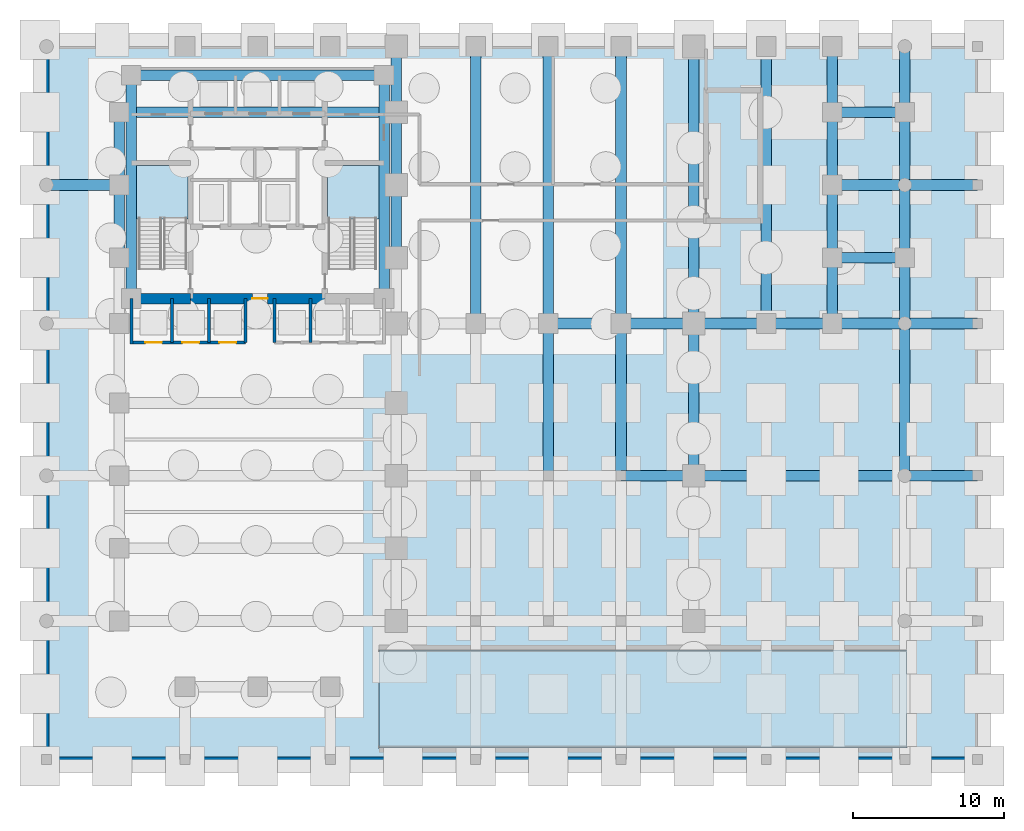
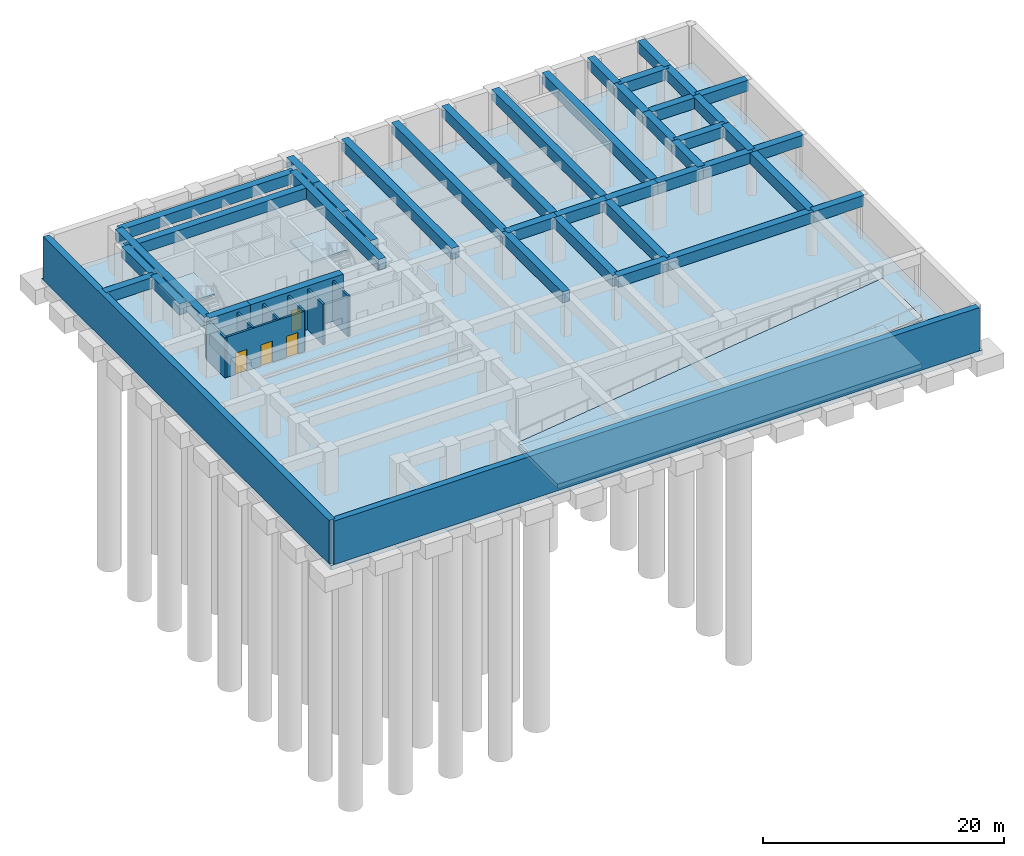
# One storey, part 3 of 8: 40 beams, 11 walls, 5 slabs, 4 doors, 4 openings, 2 elements without a shape of their own.
"""IFC4 building model written with IfcOpenShell, lengths in metres."""

from ifc_helpers import new_model, si_unit, direction, frame, frame_2d, origin, origin_2d, place, context, subcontext, project, spatial, polyline, rectangle, outline, extrude, material, layer, layer_set, material_profile, profile_set, type_object, element, fill, aggregate, save


model = new_model("IFC4")

# Units and contexts
model_context = context("Model", 3, precision=1e-05, world=origin(), true_north=direction((0.0, 1.0)))
body_context = subcontext(model_context, "Body", "Model", "MODEL_VIEW")
ifc_project = project(units=[si_unit("LENGTHUNIT", "METRE"), si_unit("AREAUNIT", "SQUARE_METRE"), si_unit("VOLUMEUNIT", "CUBIC_METRE"), si_unit("PLANEANGLEUNIT", "RADIAN"), si_unit("MASSUNIT", "GRAM", prefix="KILO")], contexts=[model_context])

# Site, building, storey
site_placement = place(None, origin())
site = spatial("IfcSite", under=ifc_project, at=site_placement, CompositionType="ELEMENT")
building_placement = place(site_placement, origin())
building = spatial("IfcBuilding", under=site, at=building_placement, Name="Orvandelia Arch Residences", CompositionType="ELEMENT")
storey_placement = place(building_placement, frame((0.0, 0.0, -13.199951171875)))
storey = spatial("IfcBuildingStorey", under=building, at=storey_placement, Name="B3", CompositionType="ELEMENT", Elevation=-13.199951171875)

# Beams
ifc_material_1 = material(Name="Concrete C60/75", Category="concrete")
ifc_material_profile = material_profile(ifc_material_1, rectangle(XDim=0.699951171875, YDim=1.10009765625, at=origin_2d()), Name="Concrete C60/75", Category="concrete")
ifc_profile_set = profile_set([ifc_material_profile], Name="Concrete C60/75")
beam_type = type_object("IfcBeamType", Name="BM-RC-700x1100", PredefinedType="BEAM", material=ifc_profile_set)
beam_1_placement = place(storey_placement, frame((5.25, 33.60009765625, 3.849853515625), z_axis=(0.0, 1.0, 0.0), x_axis=(-1.0, 0.0, 0.0)))
element("IfcBeam", 1, at=beam_1_placement, inside=storey, type_object=beam_type, Name="Structural Frame Beam B3-NS-006", PredefinedType="BEAM", context=body_context, shape_type="SweptSolid", body=[
    extrude(rectangle(XDim=0.699951171875, YDim=1.10009765625, at=origin_2d()), origin(), (0.0, 0.0, 1.0), 4.7998046875),
])
beam_2_placement = place(storey_placement, frame((5.25, 38.39990234375, 3.849853515625), z_axis=(0.0, 1.0, 0.0), x_axis=(-1.0, 0.0, 0.0)))
element("IfcBeam", 2, at=beam_2_placement, inside=storey, type_object=beam_type, Name="Structural Frame Beam B3-NS-007", PredefinedType="BEAM", context=body_context, shape_type="SweptSolid", body=[
    extrude(rectangle(XDim=0.699951171875, YDim=1.10009765625, at=origin_2d()), origin(), (0.0, 0.0, 1.0), 4.800048828125),
])
for number, where, z_axis, x_axis, name in (
    (3, (6.050048828125, 30.89990234375, 3.849853515625), (0.0, 1.0, 0.0), (-1.0, 0.0, 0.0), "Structural Frame Beam B3-NS-008"),
    (4, (22.75, 30.89990234375, 3.849853515625), (0.0, 1.0, 0.0), (-1.0, 0.0, 0.0), "Structural Frame Beam B3-NS-011"),
):
    element("IfcBeam", number, at=place(storey_placement, frame(where, z_axis=z_axis, x_axis=x_axis)), inside=storey, type_object=beam_type, Name=name, PredefinedType="BEAM", context=body_context, shape_type="SweptSolid", body=[
        extrude(rectangle(XDim=0.699951171875, YDim=1.10009765625, at=origin_2d()), origin(), (0.0, 0.0, 1.0), 14.75),
    ])
beam_3_placement = place(storey_placement, frame((23.550048828125, 33.60009765625, 3.849853515625), z_axis=(0.0, 1.0, 0.0), x_axis=(-1.0, 0.0, 0.0)))
element("IfcBeam", 5, at=beam_3_placement, inside=storey, type_object=beam_type, Name="Structural Frame Beam B3-NS-017", PredefinedType="BEAM", context=body_context, shape_type="SweptSolid", body=[
    extrude(rectangle(XDim=0.699951171875, YDim=1.10009765625, at=origin_2d()), origin(), (0.0, 0.0, 1.0), 4.7998046875),
])
beam_4_placement = place(storey_placement, frame((23.550048828125, 38.39990234375, 3.849853515625), z_axis=(0.0, 1.0, 0.0), x_axis=(-1.0, 0.0, 0.0)))
element("IfcBeam", 6, at=beam_4_placement, inside=storey, type_object=beam_type, Name="Structural Frame Beam B3-NS-018", PredefinedType="BEAM", context=body_context, shape_type="SweptSolid", body=[
    extrude(rectangle(XDim=0.699951171875, YDim=1.10009765625, at=origin_2d()), origin(), (0.0, 0.0, 1.0), 4.800048828125),
])
beam_5_placement = place(storey_placement, frame((23.550048828125, 43.199951171875, 3.849853515625), z_axis=(0.0, 1.0, 0.0), x_axis=(-1.0, 0.0, 0.0)))
element("IfcBeam", 7, at=beam_5_placement, inside=storey, type_object=beam_type, Name="Structural Frame Beam B3-NS-019", PredefinedType="BEAM", context=body_context, shape_type="SweptSolid", body=[
    extrude(rectangle(XDim=0.699951171875, YDim=1.10009765625, at=origin_2d()), origin(), (0.0, 0.0, 1.0), 4.35009765625),
])
beam_6_placement = place(storey_placement, frame((28.800048828125, 29.25, 3.849853515625), z_axis=(0.0, 1.0, 0.0), x_axis=(-1.0, 0.0, 0.0)))
element("IfcBeam", 8, at=beam_6_placement, inside=storey, type_object=beam_type, Name="Structural Frame Beam B3-NS-023", PredefinedType="BEAM", context=body_context, shape_type="SweptSolid", body=[
    extrude(rectangle(XDim=0.699951171875, YDim=1.10009765625, at=origin_2d()), origin(), (0.0, 0.0, 1.0), 18.300048828125),
])
beam_7_placement = place(storey_placement, frame((33.60009765625, 19.199951171875, 3.849853515625), z_axis=(0.0, 1.0, 0.0), x_axis=(-1.0, 0.0, 0.0)))
element("IfcBeam", 9, at=beam_7_placement, inside=storey, type_object=beam_type, Name="Structural Frame Beam B3-NS-025", PredefinedType="BEAM", context=body_context, shape_type="SweptSolid", body=[
    extrude(rectangle(XDim=0.699951171875, YDim=1.10009765625, at=origin_2d()), origin(), (0.0, 0.0, 1.0), 10.050048828125),
])
beam_8_placement = place(storey_placement, frame((33.60009765625, 29.25, 3.849853515625), z_axis=(0.0, 1.0, 0.0), x_axis=(-1.0, 0.0, 0.0)))
element("IfcBeam", 10, at=beam_8_placement, inside=storey, type_object=beam_type, Name="Structural Frame Beam B3-NS-026", PredefinedType="BEAM", context=body_context, shape_type="SweptSolid", body=[
    extrude(rectangle(XDim=0.699951171875, YDim=1.10009765625, at=origin_2d()), origin(), (0.0, 0.0, 1.0), 18.300048828125),
])
beam_9_placement = place(storey_placement, frame((38.39990234375, 19.199951171875, 3.849853515625), z_axis=(0.0, 1.0, 0.0), x_axis=(-1.0, 0.0, 0.0)))
element("IfcBeam", 11, at=beam_9_placement, inside=storey, type_object=beam_type, Name="Structural Frame Beam B3-NS-029", PredefinedType="BEAM", context=body_context, shape_type="SweptSolid", body=[
    extrude(rectangle(XDim=0.699951171875, YDim=1.10009765625, at=origin_2d()), origin(), (0.0, 0.0, 1.0), 10.050048828125),
])
beam_10_placement = place(storey_placement, frame((38.39990234375, 29.25, 3.849853515625), z_axis=(0.0, 1.0, 0.0), x_axis=(-1.0, 0.0, 0.0)))
element("IfcBeam", 12, at=beam_10_placement, inside=storey, type_object=beam_type, Name="Structural Frame Beam B3-NS-030", PredefinedType="BEAM", context=body_context, shape_type="SweptSolid", body=[
    extrude(rectangle(XDim=0.699951171875, YDim=1.10009765625, at=origin_2d()), origin(), (0.0, 0.0, 1.0), 18.300048828125),
])
beam_11_placement = place(storey_placement, frame((43.199951171875, 19.199951171875, 3.849853515625), z_axis=(0.0, 1.0, 0.0), x_axis=(-1.0, 0.0, 0.0)))
element("IfcBeam", 13, at=beam_11_placement, inside=storey, type_object=beam_type, Name="Structural Frame Beam B3-NS-032", PredefinedType="BEAM", context=body_context, shape_type="SweptSolid", body=[
    extrude(rectangle(XDim=0.699951171875, YDim=1.10009765625, at=origin_2d()), origin(), (0.0, 0.0, 1.0), 10.050048828125),
])
for number, where, z_axis, x_axis, name in (
    (14, (43.199951171875, 29.25, 3.849853515625), (0.0, 1.0, 0.0), (-1.0, 0.0, 0.0), "Structural Frame Beam B3-NS-033"),
    (15, (48.0, 29.25, 3.849853515625), (0.0, 1.0, 0.0), (-1.0, 0.0, 0.0), "Structural Frame Beam B3-NS-034"),
):
    element("IfcBeam", number, at=place(storey_placement, frame(where, z_axis=z_axis, x_axis=x_axis)), inside=storey, type_object=beam_type, Name=name, PredefinedType="BEAM", context=body_context, shape_type="SweptSolid", body=[
        extrude(rectangle(XDim=0.699951171875, YDim=1.10009765625, at=origin_2d()), origin(), (0.0, 0.0, 1.0), 18.300048828125),
    ])
beam_12_placement = place(storey_placement, frame((52.35009765625, 29.25, 3.849853515625), z_axis=(0.0, 1.0, 0.0), x_axis=(-1.0, 0.0, 0.0)))
element("IfcBeam", 16, at=beam_12_placement, inside=storey, type_object=beam_type, Name="Structural Frame Beam B3-NS-035", PredefinedType="BEAM", context=body_context, shape_type="SweptSolid", body=[
    extrude(rectangle(XDim=0.699951171875, YDim=1.10009765625, at=origin_2d()), origin(), (0.0, 0.0, 1.0), 4.35009765625),
])
beam_13_placement = place(storey_placement, frame((52.35009765625, 33.60009765625, 3.849853515625), z_axis=(0.0, 1.0, 0.0), x_axis=(-1.0, 0.0, 0.0)))
element("IfcBeam", 17, at=beam_13_placement, inside=storey, type_object=beam_type, Name="Structural Frame Beam B3-NS-036", PredefinedType="BEAM", context=body_context, shape_type="SweptSolid", body=[
    extrude(rectangle(XDim=0.699951171875, YDim=1.10009765625, at=origin_2d()), origin(), (0.0, 0.0, 1.0), 4.7998046875),
])
beam_14_placement = place(storey_placement, frame((52.35009765625, 38.39990234375, 3.849853515625), z_axis=(0.0, 1.0, 0.0), x_axis=(-1.0, 0.0, 0.0)))
element("IfcBeam", 18, at=beam_14_placement, inside=storey, type_object=beam_type, Name="Structural Frame Beam B3-NS-037", PredefinedType="BEAM", context=body_context, shape_type="SweptSolid", body=[
    extrude(rectangle(XDim=0.699951171875, YDim=1.10009765625, at=origin_2d()), origin(), (0.0, 0.0, 1.0), 4.800048828125),
])
beam_15_placement = place(storey_placement, frame((52.35009765625, 43.199951171875, 3.849853515625), z_axis=(0.0, 1.0, 0.0), x_axis=(-1.0, 0.0, 0.0)))
element("IfcBeam", 19, at=beam_15_placement, inside=storey, type_object=beam_type, Name="Structural Frame Beam B3-NS-038", PredefinedType="BEAM", context=body_context, shape_type="SweptSolid", body=[
    extrude(rectangle(XDim=0.699951171875, YDim=1.10009765625, at=origin_2d()), origin(), (0.0, 0.0, 1.0), 4.35009765625),
])
beam_16_placement = place(storey_placement, frame((57.14990234375, 19.199951171875, 3.849853515625), z_axis=(0.0, 1.0, 0.0), x_axis=(-1.0, 0.0, 0.0)))
element("IfcBeam", 20, at=beam_16_placement, inside=storey, type_object=beam_type, Name="Structural Frame Beam B3-NS-041", PredefinedType="BEAM", context=body_context, shape_type="SweptSolid", body=[
    extrude(rectangle(XDim=0.699951171875, YDim=1.10009765625, at=origin_2d()), origin(), (0.0, 0.0, 1.0), 10.050048828125),
])
beam_17_placement = place(storey_placement, frame((57.14990234375, 29.25, 3.849853515625), z_axis=(0.0, 1.0, 0.0), x_axis=(-1.0, 0.0, 0.0)))
element("IfcBeam", 21, at=beam_17_placement, inside=storey, type_object=beam_type, Name="Structural Frame Beam B3-NS-042", PredefinedType="BEAM", context=body_context, shape_type="SweptSolid", body=[
    extrude(rectangle(XDim=0.699951171875, YDim=1.10009765625, at=origin_2d()), origin(), (0.0, 0.0, 1.0), 4.35009765625),
])
beam_18_placement = place(storey_placement, frame((57.14990234375, 33.60009765625, 3.849853515625), z_axis=(0.0, 1.0, 0.0), x_axis=(-1.0, 0.0, 0.0)))
element("IfcBeam", 22, at=beam_18_placement, inside=storey, type_object=beam_type, Name="Structural Frame Beam B3-NS-043", PredefinedType="BEAM", context=body_context, shape_type="SweptSolid", body=[
    extrude(rectangle(XDim=0.699951171875, YDim=1.10009765625, at=origin_2d()), origin(), (0.0, 0.0, 1.0), 4.7998046875),
])
beam_19_placement = place(storey_placement, frame((57.14990234375, 38.39990234375, 3.849853515625), z_axis=(0.0, 1.0, 0.0), x_axis=(-1.0, 0.0, 0.0)))
element("IfcBeam", 23, at=beam_19_placement, inside=storey, type_object=beam_type, Name="Structural Frame Beam B3-NS-044", PredefinedType="BEAM", context=body_context, shape_type="SweptSolid", body=[
    extrude(rectangle(XDim=0.699951171875, YDim=1.10009765625, at=origin_2d()), origin(), (0.0, 0.0, 1.0), 4.800048828125),
])
beam_20_placement = place(storey_placement, frame((57.14990234375, 43.199951171875, 3.849853515625), z_axis=(0.0, 1.0, 0.0), x_axis=(-1.0, 0.0, 0.0)))
element("IfcBeam", 24, at=beam_20_placement, inside=storey, type_object=beam_type, Name="Structural Frame Beam B3-NS-045", PredefinedType="BEAM", context=body_context, shape_type="SweptSolid", body=[
    extrude(rectangle(XDim=0.699951171875, YDim=1.10009765625, at=origin_2d()), origin(), (0.0, 0.0, 1.0), 4.35009765625),
])
beam_21_placement = place(storey_placement, frame((38.39990234375, 19.199951171875, 3.849853515625), z_axis=(1.0, 0.0, 0.0), x_axis=(0.0, 1.0, 0.0)))
element("IfcBeam", 25, at=beam_21_placement, inside=storey, type_object=beam_type, Name="Structural Frame Girder B3-EW-062", PredefinedType="BEAM", context=body_context, shape_type="SweptSolid", body=[
    extrude(rectangle(XDim=0.699951171875, YDim=1.10009765625, at=origin_2d()), origin(), (0.0, 0.0, 1.0), 4.800048828125),
])
beam_22_placement = place(storey_placement, frame((43.199951171875, 19.199951171875, 3.849853515625), z_axis=(1.0, 0.0, 0.0), x_axis=(0.0, 1.0, 0.0)))
element("IfcBeam", 26, at=beam_22_placement, inside=storey, type_object=beam_type, Name="Structural Frame Girder B3-EW-063", PredefinedType="BEAM", context=body_context, shape_type="SweptSolid", body=[
    extrude(rectangle(XDim=0.699951171875, YDim=1.10009765625, at=origin_2d()), origin(), (0.0, 0.0, 1.0), 13.949951171875),
])
beam_23_placement = place(storey_placement, frame((57.14990234375, 19.199951171875, 3.849853515625), z_axis=(1.0, 0.0, 0.0), x_axis=(0.0, 1.0, 0.0)))
element("IfcBeam", 27, at=beam_23_placement, inside=storey, type_object=beam_type, Name="Structural Frame Girder B3-EW-064", PredefinedType="BEAM", context=body_context, shape_type="SweptSolid", body=[
    extrude(rectangle(XDim=0.699951171875, YDim=1.10009765625, at=origin_2d()), origin(), (0.0, 0.0, 1.0), 4.800048828125),
])
beam_24_placement = place(storey_placement, frame((33.60009765625, 29.25, 3.849853515625), z_axis=(1.0, 0.0, 0.0), x_axis=(0.0, 1.0, 0.0)))
element("IfcBeam", 28, at=beam_24_placement, inside=storey, type_object=beam_type, Name="Structural Frame Girder B3-EW-070", PredefinedType="BEAM", context=body_context, shape_type="SweptSolid", body=[
    extrude(rectangle(XDim=0.699951171875, YDim=1.10009765625, at=origin_2d()), origin(), (0.0, 0.0, 1.0), 4.7998046875),
])
for number, where, z_axis, x_axis, name in (
    (29, (38.39990234375, 29.25, 3.849853515625), (1.0, 0.0, 0.0), (0.0, 1.0, 0.0), "Structural Frame Girder B3-EW-071"),
    (30, (43.199951171875, 29.25, 3.849853515625), (1.0, 0.0, 0.0), (0.0, 1.0, 0.0), "Structural Frame Girder B3-EW-072"),
):
    element("IfcBeam", number, at=place(storey_placement, frame(where, z_axis=z_axis, x_axis=x_axis)), inside=storey, type_object=beam_type, Name=name, PredefinedType="BEAM", context=body_context, shape_type="SweptSolid", body=[
        extrude(rectangle(XDim=0.699951171875, YDim=1.10009765625, at=origin_2d()), origin(), (0.0, 0.0, 1.0), 4.800048828125),
    ])
beam_25_placement = place(storey_placement, frame((48.0, 29.25, 3.849853515625), z_axis=(1.0, 0.0, 0.0), x_axis=(0.0, 1.0, 0.0)))
element("IfcBeam", 31, at=beam_25_placement, inside=storey, type_object=beam_type, Name="Structural Frame Girder B3-EW-073", PredefinedType="BEAM", context=body_context, shape_type="SweptSolid", body=[
    extrude(rectangle(XDim=0.699951171875, YDim=1.10009765625, at=origin_2d()), origin(), (0.0, 0.0, 1.0), 4.35009765625),
])
beam_26_placement = place(storey_placement, frame((52.35009765625, 29.25, 3.849853515625), z_axis=(1.0, 0.0, 0.0), x_axis=(0.0, 1.0, 0.0)))
element("IfcBeam", 32, at=beam_26_placement, inside=storey, type_object=beam_type, Name="Structural Frame Girder B3-EW-074", PredefinedType="BEAM", context=body_context, shape_type="SweptSolid", body=[
    extrude(rectangle(XDim=0.699951171875, YDim=1.10009765625, at=origin_2d()), origin(), (0.0, 0.0, 1.0), 4.7998046875),
])
beam_27_placement = place(storey_placement, frame((57.14990234375, 29.25, 3.849853515625), z_axis=(1.0, 0.0, 0.0), x_axis=(0.0, 1.0, 0.0)))
element("IfcBeam", 33, at=beam_27_placement, inside=storey, type_object=beam_type, Name="Structural Frame Girder B3-EW-075", PredefinedType="BEAM", context=body_context, shape_type="SweptSolid", body=[
    extrude(rectangle(XDim=0.699951171875, YDim=1.10009765625, at=origin_2d()), origin(), (0.0, 0.0, 1.0), 4.800048828125),
])
beam_28_placement = place(storey_placement, frame((52.35009765625, 33.60009765625, 3.849853515625), z_axis=(1.0, 0.0, 0.0), x_axis=(0.0, 1.0, 0.0)))
element("IfcBeam", 34, at=beam_28_placement, inside=storey, type_object=beam_type, Name="Structural Frame Girder B3-EW-078", PredefinedType="BEAM", context=body_context, shape_type="SweptSolid", body=[
    extrude(rectangle(XDim=0.699951171875, YDim=1.10009765625, at=origin_2d()), origin(), (0.0, 0.0, 1.0), 4.7998046875),
])
beam_29_placement = place(storey_placement, frame((0.449951171875, 38.39990234375, 3.849853515625), z_axis=(1.0, 0.0, 0.0), x_axis=(0.0, 1.0, 0.0)))
element("IfcBeam", 35, at=beam_29_placement, inside=storey, type_object=beam_type, Name="Structural Frame Girder B3-EW-079", PredefinedType="BEAM", context=body_context, shape_type="SweptSolid", body=[
    extrude(rectangle(XDim=0.699951171875, YDim=1.10009765625, at=origin_2d()), origin(), (0.0, 0.0, 1.0), 4.800048828125),
])
beam_30_placement = place(storey_placement, frame((52.35009765625, 38.39990234375, 3.849853515625), z_axis=(1.0, 0.0, 0.0), x_axis=(0.0, 1.0, 0.0)))
element("IfcBeam", 36, at=beam_30_placement, inside=storey, type_object=beam_type, Name="Structural Frame Girder B3-EW-081", PredefinedType="BEAM", context=body_context, shape_type="SweptSolid", body=[
    extrude(rectangle(XDim=0.699951171875, YDim=1.10009765625, at=origin_2d()), origin(), (0.0, 0.0, 1.0), 4.7998046875),
])
beam_31_placement = place(storey_placement, frame((57.14990234375, 38.39990234375, 3.849853515625), z_axis=(1.0, 0.0, 0.0), x_axis=(0.0, 1.0, 0.0)))
element("IfcBeam", 37, at=beam_31_placement, inside=storey, type_object=beam_type, Name="Structural Frame Girder B3-EW-082", PredefinedType="BEAM", context=body_context, shape_type="SweptSolid", body=[
    extrude(rectangle(XDim=0.699951171875, YDim=1.10009765625, at=origin_2d()), origin(), (0.0, 0.0, 1.0), 4.800048828125),
])
beam_32_placement = place(storey_placement, frame((5.25, 43.199951171875, 3.849853515625), z_axis=(1.0, 0.0, 0.0), x_axis=(0.0, 1.0, 0.0)))
element("IfcBeam", 38, at=beam_32_placement, inside=storey, type_object=beam_type, Name="Structural Frame Girder B3-EW-083", PredefinedType="BEAM", context=body_context, shape_type="SweptSolid", body=[
    extrude(rectangle(XDim=0.699951171875, YDim=1.10009765625, at=origin_2d()), origin(), (0.0, 0.0, 1.0), 18.300048828125),
])
beam_33_placement = place(storey_placement, frame((52.35009765625, 43.199951171875, 3.849853515625), z_axis=(1.0, 0.0, 0.0), x_axis=(0.0, 1.0, 0.0)))
element("IfcBeam", 39, at=beam_33_placement, inside=storey, type_object=beam_type, Name="Structural Frame Girder B3-EW-084", PredefinedType="BEAM", context=body_context, shape_type="SweptSolid", body=[
    extrude(rectangle(XDim=0.699951171875, YDim=1.10009765625, at=origin_2d()), origin(), (0.0, 0.0, 1.0), 4.7998046875),
])
beam_34_placement = place(storey_placement, frame((6.050048828125, 45.64990234375, 3.849853515625), z_axis=(1.0, 0.0, 0.0), x_axis=(0.0, 1.0, 0.0)))
element("IfcBeam", 40, at=beam_34_placement, inside=storey, type_object=beam_type, Name="Structural Frame Girder B3-EW-085", PredefinedType="BEAM", context=body_context, shape_type="SweptSolid", body=[
    extrude(rectangle(XDim=0.699951171875, YDim=1.10009765625, at=origin_2d()), origin(), (0.0, 0.0, 1.0), 16.699951171875),
])

# Slabs
ifc_material_2 = material(Name="Concrete C50/60", Category="concrete")
ifc_layer_1 = layer(ifc_material_2, 0.449951171875, Name="Concrete C50/60", Category="concrete")
ifc_layer_set_1 = layer_set([ifc_layer_1], Name="Concrete C50/60")
slab_type_1 = type_object("IfcSlabType", Name="SLB-BASE-450", PredefinedType="BASESLAB", material=ifc_layer_set_1)
slab_1_placement = place(storey_placement, frame((0.0, 0.0, -0.449951171875)))
element("IfcSlab", 41, at=slab_1_placement, inside=storey, type_object=slab_type_1, Name="Structural Floor Slab B3-1", PredefinedType="BASESLAB", context=body_context, shape_type="SweptSolid", body=[
    extrude(outline(polyline([(0.0, 0.0), (62.39990234375, 0.0), (62.39990234375, 48.0), (0.0, 48.0), (0.0, 0.0)]), holes=[polyline([(22.3798828125, 1.179931640625), (57.320068359375, 1.179931640625), (57.320068359375, 7.719970703125), (22.3798828125, 7.719970703125), (22.3798828125, 1.179931640625)])]), origin(), (0.0, 0.0, 1.0), 0.449951171875),
])
slab_2_placement = place(storey_placement, frame((0.0, 0.0, -0.77001953125)))
element("IfcSlab", 42, at=slab_2_placement, inside=storey, type_object=slab_type_1, Name="Depressed Vehicle Ramp Base Slab", PredefinedType="BASESLAB", context=body_context, shape_type="SweptSolid", body=[
    extrude(outline(polyline([(22.39990234375, 1.199951171875), (57.300048828125, 1.199951171875), (57.300048828125, 7.699951171875), (22.39990234375, 7.699951171875), (22.39990234375, 1.199951171875)])), origin(), (0.0, 0.0, 1.0), 0.449951171875),
])

# Stair, slab
ifc_material_3 = material(Name="Concrete C40/50", Category="concrete")
stair_type = type_object("IfcStairType", Name="STAIR-RC-DOGLEG", PredefinedType="HALF_TURN_STAIR", material=ifc_material_3)
stair_1_placement = place(storey_placement, origin())
stair_1 = element("IfcStair", 43, at=stair_1_placement, inside=storey, type_object=stair_type, Name="B3 Protected Exit Stair ST-1", PredefinedType="HALF_TURN_STAIR")
ifc_layer_2 = layer(ifc_material_3, 0.219970703125, Name="Concrete C40/50", Category="concrete")
ifc_layer_set_2 = layer_set([ifc_layer_2], Name="Concrete C40/50")
slab_type_2 = type_object("IfcSlabType", Name="SLB-LANDING-220", PredefinedType="LANDING", material=ifc_layer_set_2)
slab_3_placement = place(storey_placement, frame((0.0, 0.0, 2.0)))
slab_3 = element("IfcSlab", 44, at=slab_3_placement, type_object=slab_type_2, Name="ST-1 landing 1", PredefinedType="LANDING", context=body_context, shape_type="SweptSolid", body=[
    extrude(outline(polyline([(9.800048828125, 36.14990234375), (9.800048828125, 39.68994140625), (6.260009765625, 39.68994140625), (6.260009765625, 36.14990234375), (9.800048828125, 36.14990234375)])), origin(), (0.0, 0.0, 1.0), 0.199951171875),
])
aggregate(stair_1, [slab_3])

stair_2_placement = place(storey_placement, origin())
stair_2 = element("IfcStair", 45, at=stair_2_placement, inside=storey, type_object=stair_type, Name="B3 Protected Exit Stair ST-2", PredefinedType="HALF_TURN_STAIR")
slab_4_placement = place(storey_placement, frame((0.0, 0.0, 2.0)))
slab_4 = element("IfcSlab", 46, at=slab_4_placement, type_object=slab_type_2, Name="ST-2 landing 1", PredefinedType="LANDING", context=body_context, shape_type="SweptSolid", body=[
    extrude(outline(polyline([(22.5400390625, 36.14990234375), (22.5400390625, 39.68994140625), (19.0, 39.68994140625), (19.0, 36.14990234375), (22.5400390625, 36.14990234375)])), origin(), (0.0, 0.0, 1.0), 0.199951171875),
])
aggregate(stair_2, [slab_4])

# Slab
ifc_layer_3 = layer(ifc_material_3, 0.300048828125, Name="Concrete C40/50", Category="concrete")
ifc_layer_set_3 = layer_set([ifc_layer_3], Name="Concrete C40/50")
slab_type_3 = type_object("IfcSlabType", Name="SLB-RAMP-300", PredefinedType="USERDEFINED", material=ifc_layer_set_3)
slab_5_placement = place(storey_placement, frame((22.39990234375, 1.199951171875, 0.0), z_axis=(-0.125081074308, 0.0, 0.992146523881), x_axis=(0.992146523881, 0.0, 0.125081074308)))
element("IfcSlab", 47, at=slab_5_placement, inside=storey, type_object=slab_type_3, Name="Car Park Vehicle Ramp Flight B3", ObjectType="RAMP", PredefinedType="USERDEFINED", context=body_context, shape_type="SweptSolid", body=[
    extrude(outline(polyline([(0.0, 0.0), (35.176403529431056, 0.0), (35.176403529431056, 6.5), (0.0, 6.5), (0.0, 0.0)])), origin(), (0.0, 0.0, -1.0), 0.300048828125),
])

# Wall
ifc_material_4 = material(Name="Concrete C80/95", Category="concrete")
ifc_layer_4 = layer(ifc_material_4, 0.699951171875, Name="Concrete C80/95", Category="concrete")
ifc_layer_set_4 = layer_set([ifc_layer_4], Name="Concrete C80/95")
wall_type_1 = type_object("IfcWallType", Name="WL-CORE-700", PredefinedType="SHEAR", material=ifc_layer_set_4)
wall_1_placement = place(storey_placement, frame((6.050048828125, 30.89990234375, 0.0), z_axis=(0.0, 0.0, 1.0), x_axis=(1.0, 0.0, 0.0)))
element("IfcWall", 48, at=wall_1_placement, inside=storey, type_object=wall_type_1, Name="Core Shear Wall B3-SW", PredefinedType="SHEAR", context=body_context, shape_type="SweptSolid", body=[
    extrude(rectangle(XDim=3.909912109375, YDim=0.699951171875, at=frame_2d((1.955078125, 0.0))), origin(), (0.0, 0.0, 1.0), 4.39990234375),
])

# Wall, opening, door
wall_2_placement = place(storey_placement, frame((9.9599609375, 30.89990234375, 0.0), z_axis=(0.0, 0.0, 1.0), x_axis=(1.0, 0.0, 0.0)))
wall_2 = element("IfcWall", 49, at=wall_2_placement, inside=storey, type_object=wall_type_1, Name="Core Shear Wall B3-SM", PredefinedType="SHEAR", context=body_context, shape_type="SweptSolid", body=[
    extrude(rectangle(XDim=8.880126953125, YDim=0.699951171875, at=frame_2d((4.43994140625, 0.0))), origin(), (0.0, 0.0, 1.0), 4.39990234375),
])
opening_1_placement = place(wall_2_placement, frame((4.090087890625, 0.0, 0.0)))
opening_1 = element("IfcOpeningElement", 50, at=opening_1_placement, cuts=wall_2, Name="Opening D6", PredefinedType="OPENING", context=body_context, shape_type="SweptSolid", body=[
    extrude(rectangle(XDim=1.0, YDim=2.14990234375, at=frame_2d((0.5, 1.074951171875))), frame((0.0, 0.35986328125, 0.0), z_axis=(0.0, -1.0, 0.0), x_axis=(1.0, 0.0, 0.0)), (0.0, 0.0, 1.0), 0.719970703125),
])
ifc_material_5 = material(Name="Smokeproof Painted Steel Fire Door", Category="steel")
door_type_1 = type_object("IfcDoorType", Name="DR-FD60-1000", OperationType="NOTDEFINED", PredefinedType="DOOR", material=ifc_material_5)
door_1_placement = place(opening_1_placement, origin())
door_1 = element("IfcDoor", 51, at=door_1_placement, inside=storey, type_object=door_type_1, Name="Firefighting Lobby Smokeproof Door B3", OperationType="SINGLE_SWING_LEFT", OverallHeight=2.14990234375, OverallWidth=1.0, PredefinedType="DOOR", context=body_context, shape_type="SweptSolid", body=[
    extrude(rectangle(XDim=1.0, YDim=2.14990234375, at=frame_2d((0.5, 1.074951171875))), frame((0.0, 0.02490234375, 0.0), z_axis=(0.0, -1.0, 0.0), x_axis=(1.0, 0.0, 0.0)), (0.0, 0.0, 1.0), 0.050048828125),
])
fill(opening_1, door_1)

# Walls
ifc_layer_5 = layer(ifc_material_2, 0.60009765625, Name="Concrete C50/60", Category="concrete")
ifc_layer_set_5 = layer_set([ifc_layer_5], Name="Concrete C50/60")
wall_type_2 = type_object("IfcWallType", Name="WL-RET-600", PredefinedType="USERDEFINED", material=ifc_layer_set_5)
wall_3_placement = place(storey_placement, frame((0.300048828125, 0.300048828125, 0.0), z_axis=(0.0, 0.0, 1.0), x_axis=(1.0, 0.0, 0.0)))
element("IfcWall", 52, at=wall_3_placement, inside=storey, type_object=wall_type_2, Name="Basement Diaphragm Retaining Wall B3-S", ObjectType="RETAININGWALL", PredefinedType="USERDEFINED", context=body_context, shape_type="SweptSolid", body=[
    extrude(rectangle(XDim=61.800048828125, YDim=0.60009765625, at=frame_2d((30.89990234375, 0.0))), origin(), (0.0, 0.0, 1.0), 4.39990234375),
])
wall_4_placement = place(storey_placement, frame((0.300048828125, 47.699951171875, 0.0), z_axis=(0.0, 0.0, 1.0), x_axis=(0.0, -1.0, 0.0)))
element("IfcWall", 53, at=wall_4_placement, inside=storey, type_object=wall_type_2, Name="Basement Diaphragm Retaining Wall B3-W", ObjectType="RETAININGWALL", PredefinedType="USERDEFINED", context=body_context, shape_type="SweptSolid", body=[
    extrude(rectangle(XDim=47.39990234375, YDim=0.60009765625, at=frame_2d((23.699951171875, 0.0))), origin(), (0.0, 0.0, 1.0), 4.39990234375),
])

# Wall, openings, doors
ifc_material_6 = material(Name="Fire-Rated Shaft Enclosure Wall")
ifc_layer_6 = layer(ifc_material_6, 0.199951171875, Name="Fire-Rated Shaft Enclosure Wall")
ifc_layer_set_6 = layer_set([ifc_layer_6], Name="Fire-Rated Shaft Enclosure Wall")
wall_type_3 = type_object("IfcWallType", Name="WL-SHAFT-200", PredefinedType="POLYGONAL", material=ifc_layer_set_6)
wall_5_placement = place(storey_placement, frame((6.050048828125, 28.0, 0.0), z_axis=(0.0, 0.0, 1.0), x_axis=(1.0, 0.0, 0.0)))
wall_5 = element("IfcWall", 54, at=wall_5_placement, inside=storey, type_object=wall_type_3, Name="Interior Partition Wall WL-B3-BNKL-S", PredefinedType="POLYGONAL", context=body_context, shape_type="SweptSolid", body=[
    extrude(rectangle(XDim=7.550048828125, YDim=0.199951171875, at=frame_2d((3.77490234375, 0.0))), origin(), (0.0, 0.0, 1.0), 4.079833984375),
])
opening_2_placement = place(wall_5_placement, frame((0.925048828125, 0.0, 0.0)))
opening_2 = element("IfcOpeningElement", 55, at=opening_2_placement, cuts=wall_5, Name="Opening LD", PredefinedType="OPENING", context=body_context, shape_type="SweptSolid", body=[
    extrude(rectangle(XDim=1.10009765625, YDim=2.14990234375, at=frame_2d((0.550048828125, 1.074951171875))), frame((0.0, 0.10986328125, 0.0), z_axis=(0.0, -1.0, 0.0), x_axis=(1.0, 0.0, 0.0)), (0.0, 0.0, 1.0), 0.219970703125),
])
opening_3_placement = place(wall_5_placement, frame((3.375, 0.0, 0.0)))
opening_3 = element("IfcOpeningElement", 56, at=opening_3_placement, cuts=wall_5, Name="Opening LD", PredefinedType="OPENING", context=body_context, shape_type="SweptSolid", body=[
    extrude(rectangle(XDim=1.10009765625, YDim=2.14990234375, at=frame_2d((0.550048828125, 1.074951171875))), frame((0.0, 0.10986328125, 0.0), z_axis=(0.0, -1.0, 0.0), x_axis=(1.0, 0.0, 0.0)), (0.0, 0.0, 1.0), 0.219970703125),
])
opening_4_placement = place(wall_5_placement, frame((5.824951171875, 0.0, 0.0)))
opening_4 = element("IfcOpeningElement", 57, at=opening_4_placement, cuts=wall_5, Name="Opening LD", PredefinedType="OPENING", context=body_context, shape_type="SweptSolid", body=[
    extrude(rectangle(XDim=1.10009765625, YDim=2.14990234375, at=frame_2d((0.550048828125, 1.074951171875))), frame((0.0, 0.10986328125, 0.0), z_axis=(0.0, -1.0, 0.0), x_axis=(1.0, 0.0, 0.0)), (0.0, 0.0, 1.0), 0.219970703125),
])
ifc_material_7 = material(Name="Brushed Stainless Steel Sliding Lift Door", Category="steel")
door_type_2 = type_object("IfcDoorType", Name="DR-LIFT-1100", OperationType="NOTDEFINED", PredefinedType="DOOR", material=ifc_material_7)
door_2_placement = place(opening_2_placement, origin())
door_2 = element("IfcDoor", 58, at=door_2_placement, inside=storey, type_object=door_type_2, Name="Lift Landing Door LD-PL1", OperationType="SLIDING_TO_LEFT", OverallHeight=2.14990234375, OverallWidth=1.10009765625, PredefinedType="DOOR", context=body_context, shape_type="SweptSolid", body=[
    extrude(rectangle(XDim=1.10009765625, YDim=2.14990234375, at=frame_2d((0.550048828125, 1.074951171875))), frame((0.0, 0.02490234375, 0.0), z_axis=(0.0, -1.0, 0.0), x_axis=(1.0, 0.0, 0.0)), (0.0, 0.0, 1.0), 0.050048828125),
])
fill(opening_2, door_2)
door_3_placement = place(opening_3_placement, origin())
door_3 = element("IfcDoor", 59, at=door_3_placement, inside=storey, type_object=door_type_2, Name="Lift Landing Door LD-PL2", OperationType="SLIDING_TO_RIGHT", OverallHeight=2.14990234375, OverallWidth=1.10009765625, PredefinedType="DOOR", context=body_context, shape_type="SweptSolid", body=[
    extrude(rectangle(XDim=1.10009765625, YDim=2.14990234375, at=frame_2d((0.550048828125, 1.074951171875))), frame((0.0, 0.02490234375, 0.0), z_axis=(0.0, -1.0, 0.0), x_axis=(1.0, 0.0, 0.0)), (0.0, 0.0, 1.0), 0.050048828125),
])
fill(opening_3, door_3)
door_4_placement = place(opening_4_placement, origin())
door_4 = element("IfcDoor", 60, at=door_4_placement, inside=storey, type_object=door_type_2, Name="Lift Landing Door LD-PL3", OperationType="SLIDING_TO_LEFT", OverallHeight=2.14990234375, OverallWidth=1.10009765625, PredefinedType="DOOR", context=body_context, shape_type="SweptSolid", body=[
    extrude(rectangle(XDim=1.10009765625, YDim=2.14990234375, at=frame_2d((0.550048828125, 1.074951171875))), frame((0.0, 0.02490234375, 0.0), z_axis=(0.0, -1.0, 0.0), x_axis=(1.0, 0.0, 0.0)), (0.0, 0.0, 1.0), 0.050048828125),
])
fill(opening_4, door_4)

# Walls
wall_6_placement = place(storey_placement, frame((6.050048828125, 27.89990234375, 0.0), z_axis=(0.0, 0.0, 1.0), x_axis=(0.0, 1.0, 0.0)))
element("IfcWall", 61, at=wall_6_placement, inside=storey, type_object=wall_type_3, Name="Interior Partition Wall WL-B3-BNKL-W", PredefinedType="POLYGONAL", context=body_context, shape_type="SweptSolid", body=[
    extrude(rectangle(XDim=3.0, YDim=0.199951171875, at=frame_2d((1.5, 0.0))), origin(), (0.0, 0.0, 1.0), 4.079833984375),
])
for number, where, z_axis, x_axis, name in (
    (62, (13.60009765625, 28.0, 0.0), (0.0, 0.0, 1.0), (0.0, 1.0, 0.0), "Interior Partition Wall WL-B3-BNKL-E"),
    (63, (15.5, 28.0, 0.0), (0.0, 0.0, 1.0), (0.0, 1.0, 0.0), "Interior Partition Wall WL-B3-BNKM-W"),
    (64, (8.75, 28.0, 0.0), (0.0, 0.0, 1.0), (0.0, 1.0, 0.0), "Interior Partition Wall WL-B3-BNKD-875"),
    (65, (11.199951171875, 28.0, 0.0), (0.0, 0.0, 1.0), (0.0, 1.0, 0.0), "Interior Partition Wall WL-B3-BNKD-1120"),
    (66, (17.89990234375, 28.0, 0.0), (0.0, 0.0, 1.0), (0.0, 1.0, 0.0), "Interior Partition Wall WL-B3-BNKD-1789"),
):
    element("IfcWall", number, at=place(storey_placement, frame(where, z_axis=z_axis, x_axis=x_axis)), inside=storey, type_object=wall_type_3, Name=name, PredefinedType="POLYGONAL", context=body_context, shape_type="SweptSolid", body=[
        extrude(rectangle(XDim=2.89990234375, YDim=0.199951171875, at=frame_2d((1.449951171875, 0.0))), origin(), (0.0, 0.0, 1.0), 4.079833984375),
    ])

save(model, "model.ifc")
